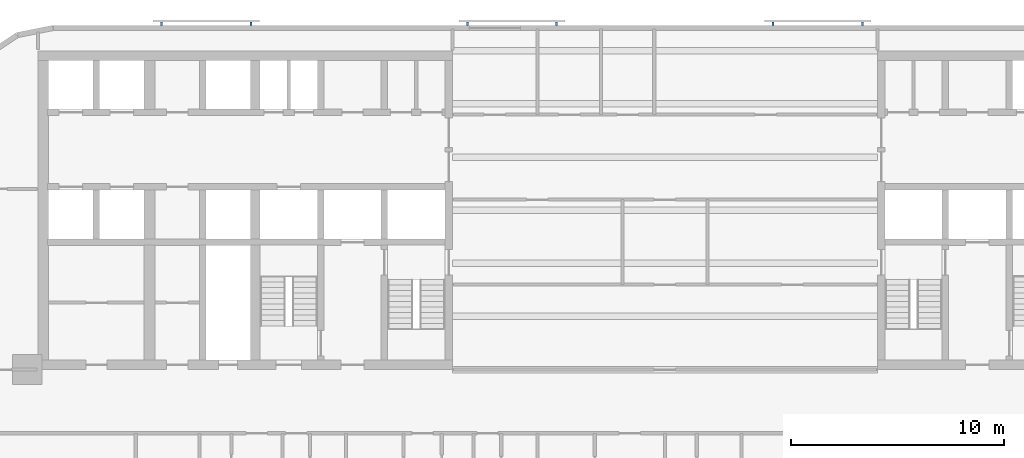
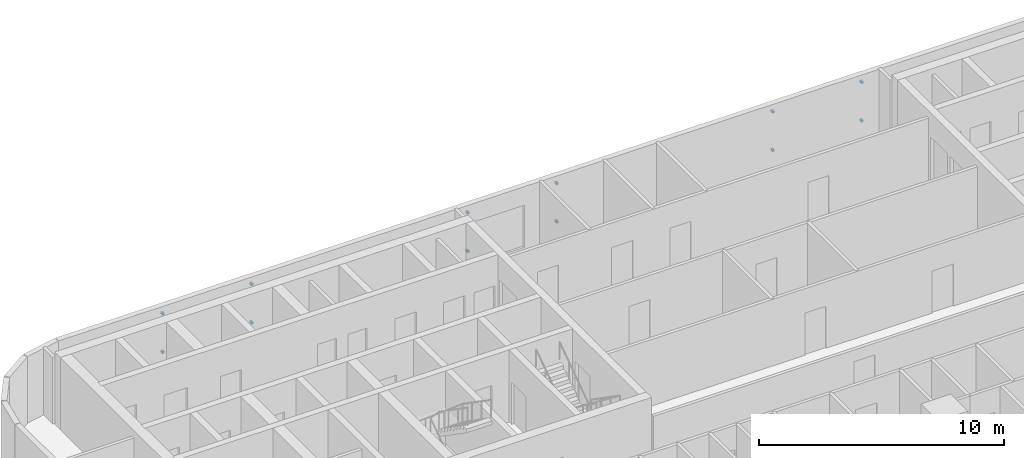
# One storey, part 11 of 15: 12 discrete accessories.
"""IFC4 building model written with IfcOpenShell, lengths in metres."""

import ifcopenshell
import ifcopenshell.guid

model = None  # the IFC model being written
_history = None  # IfcOwnerHistory: only IFC2X3 demands one
_inside = {}  # id of a spatial element -> (the spatial element, [elements in it])
_under = {}  # id of a project, library or spatial element -> (it, [spatial elements below it])
_declared = {}  # id of a project -> (the project, [libraries it declares])
_typed = {}  # id of a type object -> (the type object, [elements of that type])
_made_of = {}  # id of a material, layer set ... -> (it, [elements and type objects made of it])


def new_model(schema):
    """Start an empty IFC model of exactly this schema.

    Asked for "IFC4X3", IfcOpenShell would pick the latest addendum, in which some entities
    have other attributes; the version numbers below select the first issue.
    IFC2X3 requires an IfcOwnerHistory on every rooted entity: one is made here for all.
    """
    global model, _history
    if schema == "IFC4X3":
        model = ifcopenshell.file(schema_version=(4, 3, 0, 0))
    else:
        model = ifcopenshell.file(schema=schema)
    _inside.clear()
    _under.clear()
    _declared.clear()
    _typed.clear()
    _made_of.clear()
    _history = None
    if model.schema == "IFC2X3":
        org = make("IfcOrganization", Name="unknown")
        user = make(
            "IfcPersonAndOrganization",
            ThePerson=make("IfcPerson", FamilyName="unknown"),
            TheOrganization=org,
        )
        app = make(
            "IfcApplication",
            ApplicationDeveloper=org,
            Version="unknown",
            ApplicationFullName="unknown",
            ApplicationIdentifier="unknown",
        )
        _history = make(
            "IfcOwnerHistory",
            OwningUser=user,
            OwningApplication=app,
            ChangeAction="ADDED",
            CreationDate=0,
        )
    return model


def make(cls, **values):
    """One entity of the class cls with the attributes given. An attribute that is None is left unset."""
    return model.create_entity(
        cls, **{name: value for name, value in values.items() if value is not None}
    )


def rooted(cls, **values):
    """An entity with a GlobalId (a new one), such as an element, a storey or a relation."""
    return make(cls, GlobalId=ifcopenshell.guid.new(), OwnerHistory=_history, **values)


def si_unit(unit_type, name, prefix=None):
    """IfcSIUnit, for example si_unit("LENGTHUNIT", "METRE", prefix="MILLI")."""
    return make("IfcSIUnit", UnitType=unit_type, Prefix=prefix, Name=name)


def assignment(units):
    """IfcUnitAssignment: the units of a project."""
    return None if units is None else make("IfcUnitAssignment", Units=units)


def point(xyz):
    """IfcCartesianPoint."""
    return None if xyz is None else make("IfcCartesianPoint", Coordinates=xyz)


def direction(xyz):
    """IfcDirection."""
    return None if xyz is None else make("IfcDirection", DirectionRatios=xyz)


def frame(location, z_axis=None, x_axis=None):
    """IfcAxis2Placement3D, a coordinate frame: its origin and axes. An axis left out is left unset."""
    return make(
        "IfcAxis2Placement3D",
        Location=point(location),
        Axis=direction(z_axis),
        RefDirection=direction(x_axis),
    )


def frame_2d(location, x_axis=None):
    """IfcAxis2Placement2D, a coordinate frame in the plane: its origin and x axis."""
    return make(
        "IfcAxis2Placement2D", Location=point(location), RefDirection=direction(x_axis)
    )


def origin():
    """The frame at (0, 0, 0) with its axes left unset."""
    return frame((0.0, 0.0, 0.0))


def origin_2d():
    """The frame at (0, 0) in the plane with its x axis left unset."""
    return frame_2d((0.0, 0.0))


def place(relative_to, where):
    """IfcLocalPlacement: puts the frame where relative to a parent placement (None: the world)."""
    return make(
        "IfcLocalPlacement", PlacementRelTo=relative_to, RelativePlacement=where
    )


def context(
    kind, dimensions, precision=None, world=None, true_north=None, identifier=None
):
    """IfcGeometricRepresentationContext, for example the 3D "Model" context."""
    return make(
        "IfcGeometricRepresentationContext",
        ContextIdentifier=identifier,
        ContextType=kind,
        CoordinateSpaceDimension=dimensions,
        Precision=precision,
        WorldCoordinateSystem=world,
        TrueNorth=true_north,
    )


def subcontext(parent, identifier, kind, view, scale=None):
    """IfcGeometricRepresentationSubContext, for example "Body" below "Model"."""
    return make(
        "IfcGeometricRepresentationSubContext",
        ContextIdentifier=identifier,
        ContextType=kind,
        ParentContext=parent,
        TargetScale=scale,
        TargetView=view,
    )


def project(units=None, contexts=None):
    """IfcProject with its units and contexts."""
    return rooted(
        "IfcProject",
        Name="project",
        RepresentationContexts=contexts,
        UnitsInContext=assignment(units),
    )


def spatial(cls, under=None, at=None, **own):
    """A site, building, storey or space (cls), placed at a placement, below another one or the project."""
    s = rooted(cls, ObjectPlacement=at, **own)
    if under is not None:
        _under.setdefault(under.id(), (under, []))[1].append(s)
    return s


def profile(cls, at=None, kind="AREA", **sizes):
    """A parametric profile (cls). Its sizes go by their IFC names, for example OverallWidth=200.0."""
    return make(cls, ProfileType=kind, Position=at, **sizes)


def rectangle(**sizes):
    """IfcRectangleProfileDef."""
    return profile("IfcRectangleProfileDef", **sizes)


def extrude(swept, where, along, depth):
    """IfcExtrudedAreaSolid: the profile swept, set in the frame where, extruded along a direction by depth."""
    return make(
        "IfcExtrudedAreaSolid",
        SweptArea=swept,
        Position=where,
        ExtrudedDirection=direction(along),
        Depth=depth,
    )


def shape(context_of_items, identifier, shape_type, items):
    """IfcShapeRepresentation: the items that make up one representation, for example the "Body"."""
    return make(
        "IfcShapeRepresentation",
        ContextOfItems=context_of_items,
        RepresentationIdentifier=identifier,
        RepresentationType=shape_type,
        Items=items,
    )


def material(Name=None, Category=None):
    """IfcMaterial."""
    return make("IfcMaterial", Name=Name, Category=Category)


def made_of(thing, what):
    """Note that an element or type object is made of a material, layer set ...; save() writes the relation."""
    if what is not None:
        _made_of.setdefault(what.id(), (what, []))[1].append(thing)
    return thing


def type_object(cls, material=None, **own):
    """A type object (cls), such as IfcWallType, which elements share."""
    return made_of(rooted(cls, **own), material)


def element(
    cls,
    number,
    at=None,
    inside=None,
    cuts=None,
    type_object=None,
    material=None,
    context=None,
    identifier="Body",
    shape_type=None,
    held_by="IfcProductDefinitionShape",
    body=None,
    shapes=None,
    **own,
):
    """One element of the class cls, such as IfcWall. Its Tag is "e" and its number.

    at: its placement. inside: the storey or other place that contains it. cuts: it is an
    opening in that element (IfcRelVoidsElement). A single representation is given by context,
    identifier, shape_type and body (its items); several are given by shapes. held_by: the class
    of the entity that holds the representations. save() writes the other relations.
    """
    e = rooted(cls, Tag="e%d" % number, ObjectPlacement=at, **own)
    if body is not None:
        shapes = [shape(context, identifier, shape_type, body)]
    if shapes is not None:
        e.Representation = make(held_by, Representations=shapes)
    if inside is not None:
        _inside.setdefault(inside.id(), (inside, []))[1].append(e)
    if cuts is not None:
        rooted(
            "IfcRelVoidsElement", RelatingBuildingElement=cuts, RelatedOpeningElement=e
        )
    if type_object is not None:
        _typed.setdefault(type_object.id(), (type_object, []))[1].append(e)
    return made_of(e, material)


def aggregate(whole, parts):
    """IfcRelAggregates: a whole, such as a stair, and the parts it consists of."""
    return rooted("IfcRelAggregates", RelatingObject=whole, RelatedObjects=parts)


def save(model, path):
    """Write the relations noted so far, then the file.

    IfcRelAggregates (storeys below a building ...), IfcRelContainedInSpatialStructure (elements
    in a storey), IfcRelDefinesByType, IfcRelAssociatesMaterial and IfcRelDeclares: one each for
    every whole, place, type object, material and project.
    """
    for whole, parts in _under.values():
        aggregate(whole, parts)
    for where, things in _inside.values():
        rooted(
            "IfcRelContainedInSpatialStructure",
            RelatedElements=things,
            RelatingStructure=where,
        )
    for kind, things in _typed.values():
        rooted("IfcRelDefinesByType", RelatedObjects=things, RelatingType=kind)
    for what, things in _made_of.values():
        rooted("IfcRelAssociatesMaterial", RelatedObjects=things, RelatingMaterial=what)
    for by, libraries in _declared.values():
        rooted("IfcRelDeclares", RelatingContext=by, RelatedDefinitions=libraries)
    model.write(path)


model = new_model("IFC4")

# Units and contexts
model_context = context("Model", 3, precision=1e-05, world=origin(), true_north=direction((0.0, 1.0)))
body_context = subcontext(model_context, "Body", "Model", "MODEL_VIEW")
ifc_project = project(units=[si_unit("LENGTHUNIT", "METRE"), si_unit("AREAUNIT", "SQUARE_METRE"), si_unit("VOLUMEUNIT", "CUBIC_METRE"), si_unit("PLANEANGLEUNIT", "RADIAN"), si_unit("MASSUNIT", "GRAM", prefix="KILO")], contexts=[model_context])

# Site, building, storey
site_placement = place(None, origin())
site = spatial("IfcSite", under=ifc_project, at=site_placement, CompositionType="ELEMENT")
building_placement = place(site_placement, origin())
building = spatial("IfcBuilding", under=site, at=building_placement, Name="Torana Hotel and Residences", CompositionType="ELEMENT")
storey_placement = place(building_placement, frame((0.0, 0.0, 67.199951171875)))
storey = spatial("IfcBuildingStorey", under=building, at=storey_placement, Name="L16", CompositionType="ELEMENT", Elevation=67.199951171875)

# Discrete accessories
ifc_material = material(Name="Steel S355", Category="steel")
discrete_accessory_type = type_object("IfcDiscreteAccessoryType", Name="SCREEN BRACKET 100", PredefinedType="BRACKET", material=ifc_material)
for number, where, z_axis, x_axis, name in (
    (1, (9.293701171875, 1.27490234375, 0.75), (0.0, 0.0, 1.0), (-1.0, 0.0, 0.0), "Screen bracket L16"),
    (2, (9.293701171875, 1.27490234375, 2.669921875), (0.0, 0.0, 1.0), (-1.0, 0.0, 0.0), "Screen bracket L16"),
    (3, (5.09375, 1.27490234375, 0.75), (0.0, 0.0, 1.0), (-1.0, 0.0, 0.0), "Screen bracket L16"),
    (4, (5.09375, 1.27490234375, 2.669921875), (0.0, 0.0, 1.0), (-1.0, 0.0, 0.0), "Screen bracket L16"),
    (5, (-5.09375, 1.27490234375, 0.75), (0.0, 0.0, 1.0), (-1.0, 0.0, 0.0), "Screen bracket L16"),
    (6, (-5.09375, 1.27490234375, 2.669921875), (0.0, 0.0, 1.0), (-1.0, 0.0, 0.0), "Screen bracket L16"),
    (7, (-9.293701171875, 1.27490234375, 0.75), (0.0, 0.0, 1.0), (-1.0, 0.0, 0.0), "Screen bracket L16"),
    (8, (-9.293701171875, 1.27490234375, 2.669921875), (0.0, 0.0, 1.0), (-1.0, 0.0, 0.0), "Screen bracket L16"),
    (9, (-19.4814453125, 1.27490234375, 0.75), (0.0, 0.0, 1.0), (-1.0, 0.0, 0.0), "Screen bracket L16"),
    (10, (-19.4814453125, 1.27490234375, 2.669921875), (0.0, 0.0, 1.0), (-1.0, 0.0, 0.0), "Screen bracket L16"),
    (11, (-23.681396484375, 1.27490234375, 0.75), (0.0, 0.0, 1.0), (-1.0, 0.0, 0.0), "Screen bracket L16"),
    (12, (-23.681396484375, 1.27490234375, 2.669921875), (0.0, 0.0, 1.0), (-1.0, 0.0, 0.0), "Screen bracket L16"),
):
    element("IfcDiscreteAccessory", number, at=place(storey_placement, frame(where, z_axis=z_axis, x_axis=x_axis)), inside=storey, type_object=discrete_accessory_type, Name=name, PredefinedType="BRACKET", context=body_context, shape_type="SweptSolid", body=[
        extrude(rectangle(XDim=0.10009765625, YDim=0.14990234375, at=origin_2d()), origin(), (0.0, 0.0, 1.0), 0.10009765625),
    ])

save(model, "model.ifc")
